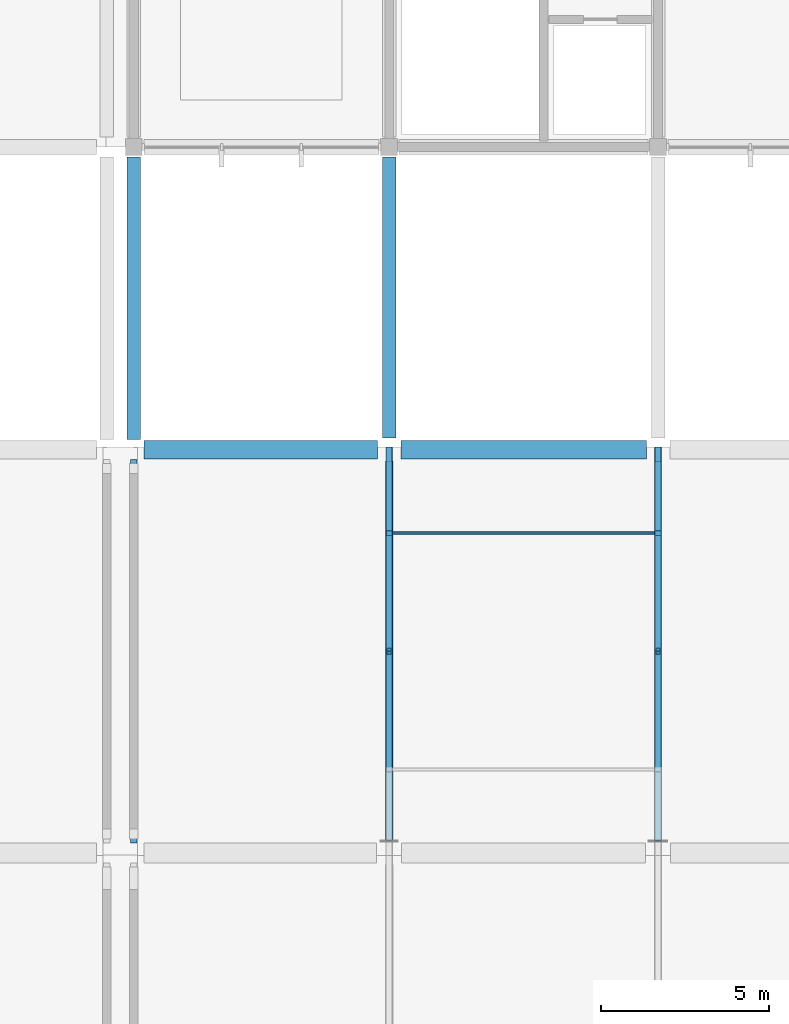
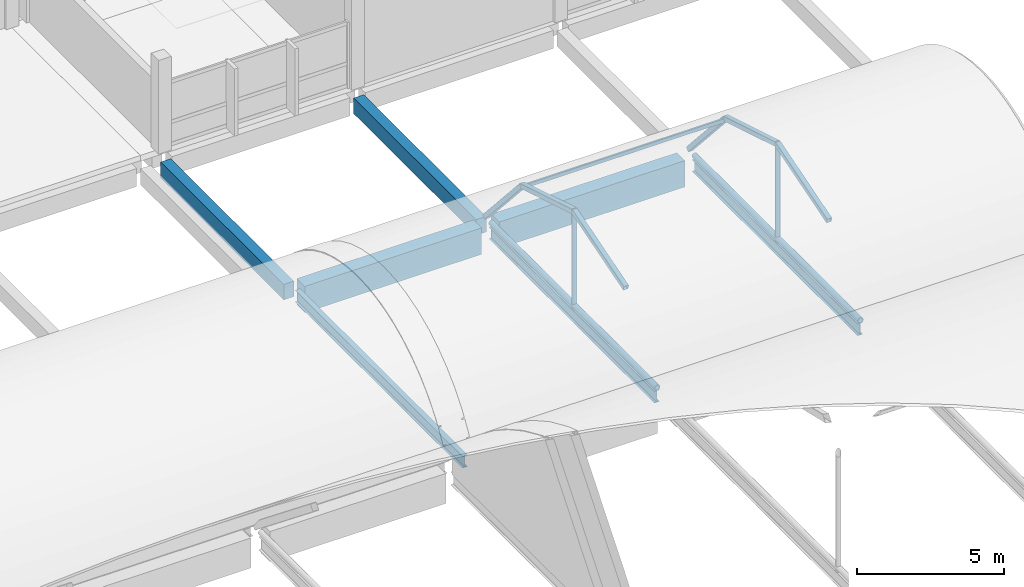
# One storey, part 19 of 57: 11 members, 7 beams.
"""IFC4 building model written with IfcOpenShell, lengths in metres."""

from ifc_helpers import new_model, si_unit, direction, frame, origin, origin_2d, place, context, subcontext, project, spatial, rectangle, hollow_rectangle, hollow_circle, i_section, extrude, material, material_profile, profile_set, type_object, element, save


model = new_model("IFC4")

# Units and contexts
model_context = context("Model", 3, precision=1e-05, world=origin(), true_north=direction((0.0, 1.0)))
body_context = subcontext(model_context, "Body", "Model", "MODEL_VIEW")
ifc_project = project(units=[si_unit("LENGTHUNIT", "METRE"), si_unit("AREAUNIT", "SQUARE_METRE"), si_unit("VOLUMEUNIT", "CUBIC_METRE"), si_unit("PLANEANGLEUNIT", "RADIAN"), si_unit("MASSUNIT", "GRAM", prefix="KILO"), si_unit("THERMODYNAMICTEMPERATUREUNIT", "KELVIN"), si_unit("POWERUNIT", "WATT")], contexts=[model_context])

# Site, building, storey
site_placement = place(None, origin())
site = spatial("IfcSite", under=ifc_project, at=site_placement, CompositionType="ELEMENT")
building_placement = place(site_placement, origin())
building = spatial("IfcBuilding", under=site, at=building_placement, Name="Kronsvod Quay Wholesale Market", CompositionType="ELEMENT")
storey_placement = place(building_placement, frame((0.0, 0.0, 13.199951171875)))
storey = spatial("IfcBuildingStorey", under=building, at=storey_placement, Name="L03", CompositionType="ELEMENT", Elevation=13.199951171875)

# Beams
ifc_material_1 = material(Name="Precast concrete C40/50", Category="concrete")
ifc_material_profile_1 = material_profile(ifc_material_1, rectangle(XDim=0.39990234375, YDim=0.64990234375, at=origin_2d()), Name="PCB400x650")
ifc_profile_set_1 = profile_set([ifc_material_profile_1], Name="Precast concrete C40/50")
beam_type_1 = type_object("IfcBeamType", Name="Beam_PCB400x650", PredefinedType="BEAM", material=ifc_profile_set_1)
beam_1_placement = place(storey_placement, frame((64.39990234375, 90.300048828125, -0.635009765625), z_axis=(0.0, 1.0, 0.0), x_axis=(-1.0, 0.0, 0.0)))
element("IfcBeam", 1, at=beam_1_placement, inside=storey, type_object=beam_type_1, Name="BMY-L03-644-900", PredefinedType="BEAM", context=body_context, shape_type="SweptSolid", body=[
    extrude(rectangle(XDim=0.39990234375, YDim=0.64990234375, at=origin_2d()), origin(), (0.0, 0.0, 1.0), 8.39990234375),
])
beam_2_placement = place(storey_placement, frame((72.0, 90.35009765625, -0.635009765625), z_axis=(0.0, 1.0, 0.0), x_axis=(-1.0, 0.0, 0.0)))
element("IfcBeam", 2, at=beam_2_placement, inside=storey, type_object=beam_type_1, Name="BMY-L03-720-900", PredefinedType="BEAM", context=body_context, shape_type="SweptSolid", body=[
    extrude(rectangle(XDim=0.39990234375, YDim=0.64990234375, at=origin_2d()), origin(), (0.0, 0.0, 1.0), 8.349853515625),
])
ifc_material_2 = material(Name="Precast concrete C40/50", Category="concrete")
ifc_material_profile_2 = material_profile(ifc_material_2, rectangle(XDim=0.550048828125, YDim=1.10009765625, at=origin_2d()), Name="PCVG550x1100")
ifc_profile_set_2 = profile_set([ifc_material_profile_2], Name="Precast concrete C40/50")
beam_type_2 = type_object("IfcBeamType", Name="Girder_PCVG550x1100", PredefinedType="T_BEAM", material=ifc_profile_set_2)
beam_3_placement = place(storey_placement, frame((64.699951171875, 90.0, -0.77001953125), z_axis=(1.0, 0.0, 0.0), x_axis=(0.0, 1.0, 0.0)))
element("IfcBeam", 3, at=beam_3_placement, inside=storey, type_object=beam_type_2, Name="BMX-L03-644-900", PredefinedType="T_BEAM", context=body_context, shape_type="SweptSolid", body=[
    extrude(rectangle(XDim=0.550048828125, YDim=1.10009765625, at=origin_2d()), origin(), (0.0, 0.0, 1.0), 6.949951171875),
])
beam_4_placement = place(storey_placement, frame((72.35009765625, 90.0, -0.77001953125), z_axis=(1.0, 0.0, 0.0), x_axis=(0.0, 1.0, 0.0)))
element("IfcBeam", 4, at=beam_4_placement, inside=storey, type_object=beam_type_2, Name="BMX-L03-720-900", PredefinedType="T_BEAM", context=body_context, shape_type="SweptSolid", body=[
    extrude(rectangle(XDim=0.550048828125, YDim=1.10009765625, at=origin_2d()), origin(), (0.0, 0.0, 1.0), 7.2998046875),
])
ifc_material_3 = material(Name="Steel S355", Category="steel")
ifc_material_profile_3 = material_profile(ifc_material_3, i_section(OverallWidth=0.198974609375, OverallDepth=0.49609375, WebThickness=0.009033203125, FlangeThickness=0.013916015625, FilletRadius=0.02001953125, at=origin_2d()), Name="50B1")
ifc_profile_set_3 = profile_set([ifc_material_profile_3], Name="Steel S355")
beam_type_3 = type_object("IfcBeamType", Name="Girder_Steel50B1", PredefinedType="T_BEAM", material=ifc_profile_set_3)
beam_5_placement = place(storey_placement, frame((64.39990234375, 78.300048828125, -0.468017578125), z_axis=(0.0, 1.0, 0.0), x_axis=(-1.0, 0.0, 0.0)))
element("IfcBeam", 5, at=beam_5_placement, inside=storey, type_object=beam_type_3, Name="BMY-L03-644-780", PredefinedType="T_BEAM", context=body_context, shape_type="SweptSolid", body=[
    extrude(i_section(OverallWidth=0.198974609375, OverallDepth=0.49609375, WebThickness=0.009033203125, FlangeThickness=0.013916015625, FilletRadius=0.02001953125, at=origin_2d()), origin(), (0.0, 0.0, 1.0), 11.39990234375),
])
for number, where, z_axis, x_axis, name in (
    (6, (72.0, 78.375, -0.468017578125), (0.0, 1.0, 0.0), (-1.0, 0.0, 0.0), "BMY-L03-720-780"),
    (7, (80.0, 78.375, -0.468017578125), (0.0, 1.0, 0.0), (-1.0, 0.0, 0.0), "BMY-L03-800-780"),
):
    element("IfcBeam", number, at=place(storey_placement, frame(where, z_axis=z_axis, x_axis=x_axis)), inside=storey, type_object=beam_type_3, Name=name, PredefinedType="T_BEAM", context=body_context, shape_type="SweptSolid", body=[
        extrude(i_section(OverallWidth=0.198974609375, OverallDepth=0.49609375, WebThickness=0.009033203125, FlangeThickness=0.013916015625, FilletRadius=0.02001953125, at=origin_2d()), origin(), (0.0, 0.0, 1.0), 11.27490234375),
    ])

# Members
ifc_material_4 = material(Name="Steel S355", Category="steel")
ifc_material_profile_4 = material_profile(ifc_material_4, hollow_rectangle(XDim=0.199951171875, YDim=0.199951171875, WallThickness=0.010009765625, InnerFilletRadius=0.010009765625, OuterFilletRadius=0.02001953125, at=origin_2d()), Name="RHS200x200x10")
ifc_profile_set_4 = profile_set([ifc_material_profile_4], Name="Steel S355")
member_type_1 = type_object("IfcMemberType", Name="Member_Arch200x200", PredefinedType="RAFTER", material=ifc_profile_set_4)
for number, where, z_axis, x_axis, name in (
    (8, (72.0, 80.483154296875, 2.775146484375), (0.0, 0.957082500132, 0.289815610245), (-1.0, 0.0, 0.0), "ARCG-SH-V1C-N-720-1"),
    (9, (72.0, 84.0, 3.840087890625), (0.0, 0.957082500132, -0.289815610245), (-1.0, 0.0, 0.0), "ARCG-SH-V1C-N-720-2"),
):
    element("IfcMember", number, at=place(storey_placement, frame(where, z_axis=z_axis, x_axis=x_axis)), inside=storey, type_object=member_type_1, Name=name, PredefinedType="RAFTER", context=body_context, shape_type="SweptSolid", body=[
        extrude(hollow_rectangle(XDim=0.199951171875, YDim=0.199951171875, WallThickness=0.010009765625, InnerFilletRadius=0.010009765625, OuterFilletRadius=0.02001953125, at=origin_2d()), origin(), (0.0, 0.0, 1.0), 3.674560546875),
    ])
member_1_placement = place(storey_placement, frame((72.0, 87.516845703125, 2.775146484375), z_axis=(0.0, 0.66547990509, -0.746415766126), x_axis=(-1.0, 0.0, 0.0)))
element("IfcMember", 10, at=member_1_placement, inside=storey, type_object=member_type_1, Name="ARCG-SH-V1C-N-720-3", PredefinedType="RAFTER", context=body_context, shape_type="SweptSolid", body=[
    extrude(hollow_rectangle(XDim=0.199951171875, YDim=0.199951171875, WallThickness=0.010009765625, InnerFilletRadius=0.010009765625, OuterFilletRadius=0.02001953125, at=origin_2d()), origin(), (0.0, 0.0, 1.0), 3.7314453125),
])
for number, where, z_axis, x_axis, name in (
    (11, (80.0, 80.483154296875, 2.775146484375), (0.0, 0.957082500132, 0.289815610245), (-1.0, 0.0, 0.0), "ARCG-SH-V1C-N-800-1"),
    (12, (80.0, 84.0, 3.840087890625), (0.0, 0.957082500132, -0.289815610245), (-1.0, 0.0, 0.0), "ARCG-SH-V1C-N-800-2"),
):
    element("IfcMember", number, at=place(storey_placement, frame(where, z_axis=z_axis, x_axis=x_axis)), inside=storey, type_object=member_type_1, Name=name, PredefinedType="RAFTER", context=body_context, shape_type="SweptSolid", body=[
        extrude(hollow_rectangle(XDim=0.199951171875, YDim=0.199951171875, WallThickness=0.010009765625, InnerFilletRadius=0.010009765625, OuterFilletRadius=0.02001953125, at=origin_2d()), origin(), (0.0, 0.0, 1.0), 3.674560546875),
    ])
member_2_placement = place(storey_placement, frame((80.0, 87.516845703125, 2.775146484375), z_axis=(0.0, 0.66547990509, -0.746415766126), x_axis=(-1.0, 0.0, 0.0)))
element("IfcMember", 13, at=member_2_placement, inside=storey, type_object=member_type_1, Name="ARCG-SH-V1C-N-800-3", PredefinedType="RAFTER", context=body_context, shape_type="SweptSolid", body=[
    extrude(hollow_rectangle(XDim=0.199951171875, YDim=0.199951171875, WallThickness=0.010009765625, InnerFilletRadius=0.010009765625, OuterFilletRadius=0.02001953125, at=origin_2d()), origin(), (0.0, 0.0, 1.0), 3.7314453125),
])
ifc_material_5 = material(Name="Steel S355", Category="steel")
ifc_material_profile_5 = material_profile(ifc_material_5, hollow_circle(Radius=0.096923828125, WallThickness=0.008056640625, at=origin_2d()), Name="CHS194x8")
ifc_profile_set_5 = profile_set([ifc_material_profile_5], Name="Steel S355")
member_type_2 = type_object("IfcMemberType", Name="Member_Brace194x8", PredefinedType="BRACE", material=ifc_profile_set_5)
for number, where, z_axis, x_axis, name in (
    (14, (72.0, 84.0, -0.22998046875), (0.0, 0.0, 1.0), (1.0, 0.0, 0.0), "KPST-SH-V1C-N-720"),
    (15, (80.0, 84.0, -0.22998046875), (0.0, 0.0, 1.0), (1.0, 0.0, 0.0), "KPST-SH-V1C-N-800"),
):
    element("IfcMember", number, at=place(storey_placement, frame(where, z_axis=z_axis, x_axis=x_axis)), inside=storey, type_object=member_type_2, Name=name, PredefinedType="BRACE", context=body_context, shape_type="SweptSolid", body=[
        extrude(hollow_circle(Radius=0.096923828125, WallThickness=0.008056640625, at=origin_2d()), origin(), (0.0, 0.0, 1.0), 4.070068359375),
    ])
ifc_material_6 = material(Name="Steel S355", Category="steel")
ifc_material_profile_6 = material_profile(ifc_material_6, hollow_circle(Radius=0.109619140625, WallThickness=0.010009765625, at=origin_2d()), Name="CHS219x10")
ifc_profile_set_6 = profile_set([ifc_material_profile_6], Name="Steel S355")
member_type_3 = type_object("IfcMemberType", Name="Member_Chord219x10", PredefinedType="CHORD", material=ifc_profile_set_6)
for number, where, z_axis, x_axis, name in (
    (16, (72.0, 78.340087890625, -0.079833984375), (0.0, 1.0, 0.0), (-1.0, 0.0, 0.0), "CHDG-SH-V1C-N-720"),
    (17, (80.0, 78.340087890625, -0.079833984375), (0.0, 1.0, 0.0), (-1.0, 0.0, 0.0), "CHDG-SH-V1C-N-800"),
):
    element("IfcMember", number, at=place(storey_placement, frame(where, z_axis=z_axis, x_axis=x_axis)), inside=storey, type_object=member_type_3, Name=name, PredefinedType="CHORD", context=body_context, shape_type="SweptSolid", body=[
        extrude(hollow_circle(Radius=0.109619140625, WallThickness=0.010009765625, at=origin_2d()), origin(), (0.0, 0.0, 1.0), 11.31982421875),
    ])
ifc_material_7 = material(Name="Steel S355", Category="steel")
ifc_material_profile_7 = material_profile(ifc_material_7, hollow_rectangle(XDim=0.080078125, YDim=0.159912109375, WallThickness=0.006103515625, InnerFilletRadius=0.006103515625, OuterFilletRadius=0.011962890625, at=origin_2d()), Name="RHS160x80x6")
ifc_profile_set_7 = profile_set([ifc_material_profile_7], Name="Steel S355")
member_type_4 = type_object("IfcMemberType", Name="Member_Purlin160x80", PredefinedType="PURLIN", material=ifc_profile_set_7)
member_3_placement = place(storey_placement, frame((72.080078125, 87.516845703125, 2.71533203125), z_axis=(1.0, 0.0, 0.0), x_axis=(0.0, 1.0, 0.0)))
element("IfcMember", 18, at=member_3_placement, inside=storey, type_object=member_type_4, Name="PRLG-SH-V1C-N-0-1", PredefinedType="PURLIN", context=body_context, shape_type="SweptSolid", body=[
    extrude(hollow_rectangle(XDim=0.080078125, YDim=0.159912109375, WallThickness=0.006103515625, InnerFilletRadius=0.006103515625, OuterFilletRadius=0.011962890625, at=origin_2d()), origin(), (0.0, 0.0, 1.0), 7.83984375),
])

save(model, "model.ifc")
